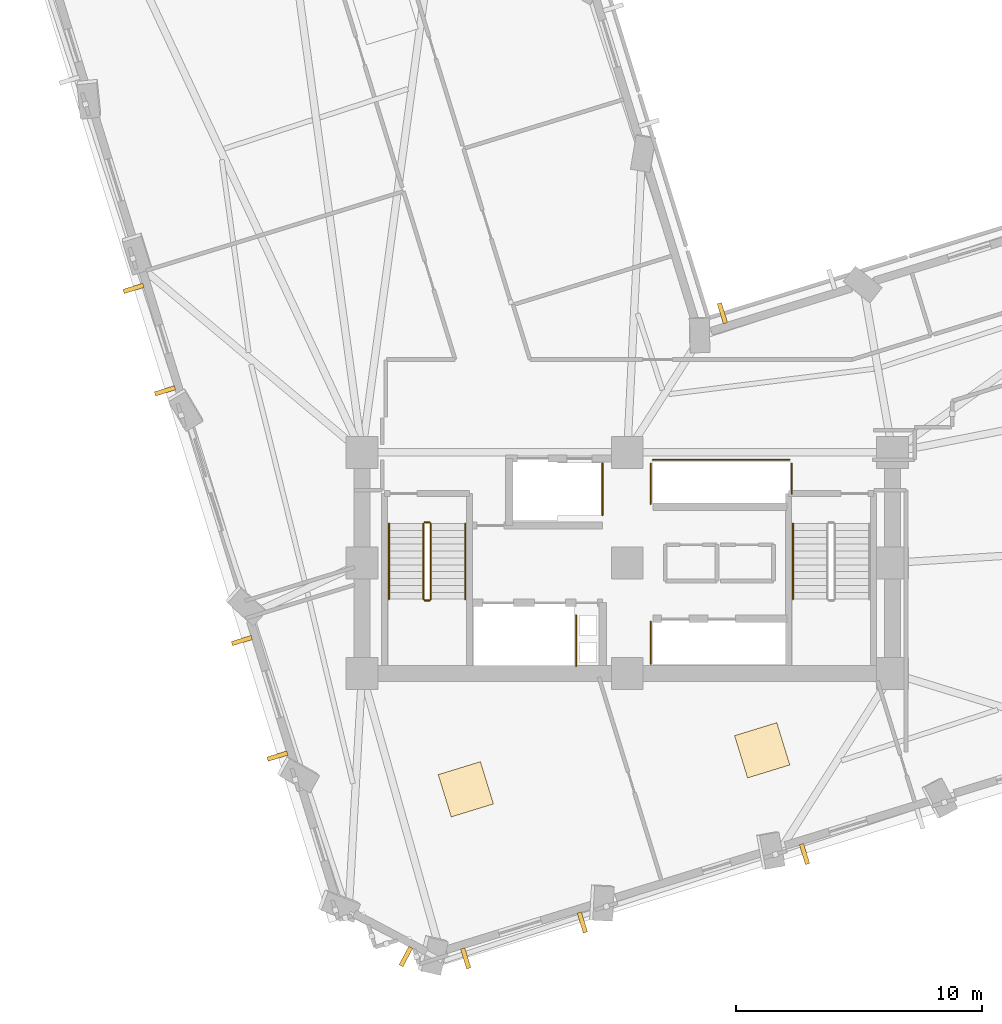
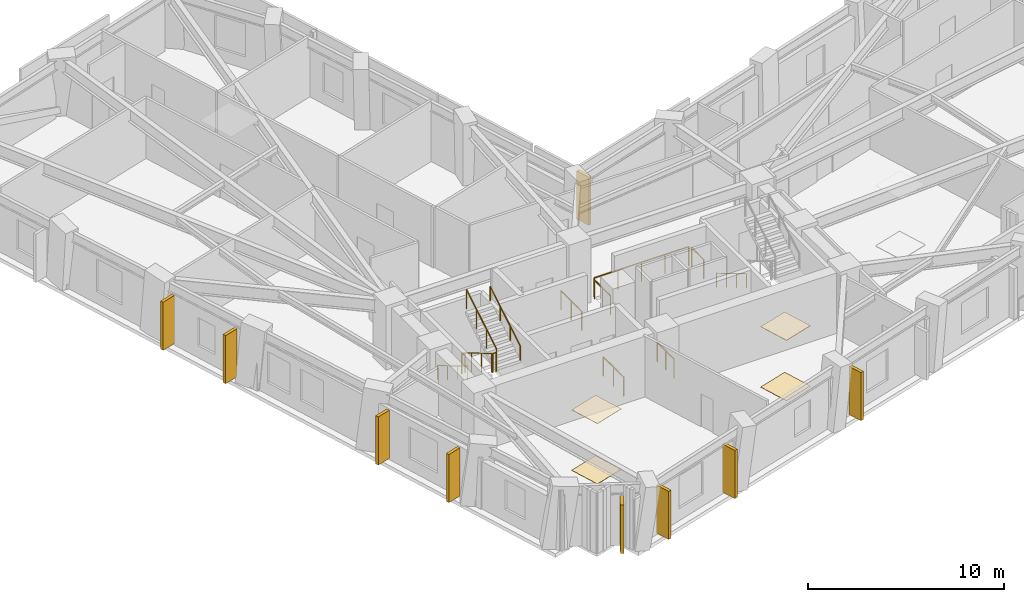
# One storey, part 11 of 14: 13 railings, 9 shading devices, 4 coverings.
"""IFC4 building model written with IfcOpenShell, lengths in metres."""

from ifc_helpers import new_model, si_unit, direction, frame, origin, origin_2d, place, context, subcontext, project, spatial, rectangle, circle, extrude, material, layer, layer_set, type_object, element, save


model = new_model("IFC4")

# Units and contexts
model_context = context("Model", 3, precision=1e-05, world=origin(), true_north=direction((0.0, 1.0)))
body_context = subcontext(model_context, "Body", "Model", "MODEL_VIEW")
ifc_project = project(units=[si_unit("LENGTHUNIT", "METRE"), si_unit("AREAUNIT", "SQUARE_METRE"), si_unit("VOLUMEUNIT", "CUBIC_METRE"), si_unit("PLANEANGLEUNIT", "RADIAN"), si_unit("MASSUNIT", "GRAM", prefix="KILO")], contexts=[model_context])

# Site, building, storey
site_placement = place(None, origin())
site = spatial("IfcSite", under=ifc_project, at=site_placement, CompositionType="ELEMENT")
building_placement = place(site_placement, origin())
building = spatial("IfcBuilding", under=site, at=building_placement, Name="Gaonmaruhae Medical Tower", CompositionType="ELEMENT")
storey_placement = place(building_placement, frame((0.0, 0.0, 96.39990234375)))
storey = spatial("IfcBuildingStorey", under=building, at=storey_placement, Name="L22", CompositionType="ELEMENT", Elevation=96.39990234375)

# Coverings
ifc_material_1 = material(Name="Acoustic mineral ceiling tile", Category="finish")
ifc_layer_1 = layer(ifc_material_1, 0.02490234375)
ifc_layer_set_1 = layer_set([ifc_layer_1], Name="Acoustic mineral ceiling tile")
covering_type_1 = type_object("IfcCoveringType", Name="CLG-01 Antimicrobial Acoustic Mineral Ceiling", PredefinedType="CEILING", material=ifc_layer_set_1)
for number, where, z_axis, x_axis, name in (
    (1, (18.226806640625, 3.080078125, 3.755126953125), (0.0, 0.0, 1.0), (0.955793014798, 0.294040325232, 0.0), "L22 Clinical Room Acoustic Ceiling 2"),
    (2, (30.29345703125, 4.668212890625, 3.755126953125), (0.0, 0.0, 1.0), (0.955793014798, 0.294040325232, 0.0), "L22 Clinical Room Acoustic Ceiling 3"),
):
    element("IfcCovering", number, at=place(storey_placement, frame(where, z_axis=z_axis, x_axis=x_axis)), inside=storey, type_object=covering_type_1, Name=name, PredefinedType="CEILING", context=body_context, shape_type="SweptSolid", body=[
        extrude(rectangle(XDim=1.800048828125, YDim=1.800048828125, at=origin_2d()), origin(), (0.0, 0.0, 1.0), 0.02490234375),
    ])
ifc_material_2 = material(Name="Seamless clinical vinyl flooring", Category="finish")
ifc_layer_2 = layer(ifc_material_2, 0.014892578125)
ifc_layer_set_2 = layer_set([ifc_layer_2], Name="Seamless clinical vinyl flooring")
covering_type_2 = type_object("IfcCoveringType", Name="FLR-01 Seamless Clinical Antistatic Vinyl Flooring", PredefinedType="FLOORING", material=ifc_layer_set_2)
for number, where, z_axis, x_axis, name in (
    (3, (18.226806640625, 3.080078125, 0.0), (0.0, 0.0, 1.0), (0.955793014798, 0.294040325232, 0.0), "L22 Clinical Room Vinyl Flooring 2"),
    (4, (30.29345703125, 4.668212890625, 0.0), (0.0, 0.0, 1.0), (0.955793014798, 0.294040325232, 0.0), "L22 Clinical Room Vinyl Flooring 3"),
):
    element("IfcCovering", number, at=place(storey_placement, frame(where, z_axis=z_axis, x_axis=x_axis)), inside=storey, type_object=covering_type_2, Name=name, PredefinedType="FLOORING", context=body_context, shape_type="SweptSolid", body=[
        extrude(rectangle(XDim=1.800048828125, YDim=1.800048828125, at=origin_2d()), origin(), (0.0, 0.0, 1.0), 0.014892578125),
    ])

# Railings
ifc_material_3 = material(Name="Stainless steel 304 handrail", Category="steel")
railing_type_1 = type_object("IfcRailingType", Name="HR-092 Continuous Stainless Steel Stair Handrail", PredefinedType="HANDRAIL", material=ifc_material_3)
railing_1_placement = place(storey_placement, frame((15.10009765625, 13.89990234375, 0.166748046875)))
element("IfcRailing", 5, at=railing_1_placement, inside=storey, type_object=railing_type_1, Name="L22 ST-01 stair handrail 1", PredefinedType="HANDRAIL", context=body_context, shape_type="SweptSolid", body=[
    extrude(circle(Radius=0.02392578125, at=origin_2d()), frame((0.0, 0.0, 0.8759765625), z_axis=(0.0, -0.859290745958, 0.51148745235), x_axis=(1.0, 0.0, 0.0)), (0.0, 0.0, 1.0), 3.584228515625),
    extrude(circle(Radius=0.02099609375, at=origin_2d()), origin(), (0.0, 0.0, 1.0), 0.851806640625),
    extrude(circle(Radius=0.02099609375, at=origin_2d()), frame((0.0, -1.026611328125, 0.611083984375)), (0.0, 0.0, 1.0), 0.851806640625),
    extrude(circle(Radius=0.02099609375, at=origin_2d()), frame((0.0, -2.05322265625, 1.22216796875)), (0.0, 0.0, 1.0), 0.851806640625),
    extrude(circle(Radius=0.02099609375, at=origin_2d()), frame((0.0, -3.079833984375, 1.833251953125)), (0.0, 0.0, 1.0), 0.851806640625),
])
railing_2_placement = place(storey_placement, frame((18.199951171875, 10.820068359375, 2.166748046875)))
element("IfcRailing", 6, at=railing_2_placement, inside=storey, type_object=railing_type_1, Name="L22 ST-01 stair handrail 2", PredefinedType="HANDRAIL", context=body_context, shape_type="SweptSolid", body=[
    extrude(circle(Radius=0.02392578125, at=origin_2d()), frame((0.0, 0.0, 0.8759765625), z_axis=(0.0, 0.859290745958, 0.51148745235), x_axis=(-1.0, 0.0, 0.0)), (0.0, 0.0, 1.0), 3.584228515625),
    extrude(circle(Radius=0.02099609375, at=origin_2d()), origin(), (0.0, 0.0, 1.0), 0.851806640625),
    extrude(circle(Radius=0.02099609375, at=origin_2d()), frame((0.0, 1.026611328125, 0.611083984375)), (0.0, 0.0, 1.0), 0.851806640625),
    extrude(circle(Radius=0.02099609375, at=origin_2d()), frame((0.0, 2.05322265625, 1.22216796875)), (0.0, 0.0, 1.0), 0.851806640625),
    extrude(circle(Radius=0.02099609375, at=origin_2d()), frame((0.0, 3.079833984375, 1.833251953125)), (0.0, 0.0, 1.0), 0.851806640625),
])
railing_3_placement = place(storey_placement, frame((31.550048828125, 13.89990234375, 0.166748046875)))
element("IfcRailing", 7, at=railing_3_placement, inside=storey, type_object=railing_type_1, Name="L22 ST-02 stair handrail 1", PredefinedType="HANDRAIL", context=body_context, shape_type="SweptSolid", body=[
    extrude(circle(Radius=0.02392578125, at=origin_2d()), frame((0.0, 0.0, 0.8759765625), z_axis=(0.0, -0.859290745958, 0.51148745235), x_axis=(1.0, 0.0, 0.0)), (0.0, 0.0, 1.0), 3.584228515625),
    extrude(circle(Radius=0.02099609375, at=origin_2d()), origin(), (0.0, 0.0, 1.0), 0.851806640625),
    extrude(circle(Radius=0.02099609375, at=origin_2d()), frame((0.0, -1.026611328125, 0.611083984375)), (0.0, 0.0, 1.0), 0.851806640625),
    extrude(circle(Radius=0.02099609375, at=origin_2d()), frame((0.0, -2.05322265625, 1.22216796875)), (0.0, 0.0, 1.0), 0.851806640625),
    extrude(circle(Radius=0.02099609375, at=origin_2d()), frame((0.0, -3.079833984375, 1.833251953125)), (0.0, 0.0, 1.0), 0.851806640625),
])

# Shading devices
ifc_material_4 = material(Name="Pigmented coral precast concrete C45/55", Category="concrete")
shading_device_type = type_object("IfcShadingDeviceType", Name="SD-FIN1 Tower Vertical Coral Precast Shading Fin", PredefinedType="USERDEFINED", material=ifc_material_4)
for number, where, z_axis, x_axis, name in (
    (8, (22.970458984375, -2.34033203125, 0.08251953125), (0.0, 0.0, 1.0), (-0.955793014798, -0.294040325232, 0.0), "L22 Vertical Coral Precast Shading Fin S01"),
    (9, (18.22021484375, -3.8017578125, 0.08251953125), (0.0, 0.0, 1.0), (-0.955793014798, -0.294040325232, 0.0), "L22 Vertical Coral Precast Shading Fin S01B"),
    (10, (32.0166015625, 0.442626953125, 0.08251953125), (0.0, 0.0, 1.0), (-0.955793014798, -0.294040325232, 0.0), "L22 Vertical Coral Precast Shading Fin S03B"),
    (11, (28.67431640625, 22.46337890625, 0.08251953125), (0.0, 0.0, 1.0), (0.955793014798, 0.294040325232, 0.0), "L22 Vertical Coral Precast Shading Fin EN03"),
    (12, (5.97998046875, 19.303955078125, 0.08251953125), (0.0, 0.0, 1.0), (-0.294040325232, 0.955793014798, 0.0), "L22 Vertical Coral Precast Shading Fin W03"),
    (13, (4.697509765625, 23.473388671875, 0.08251953125), (0.0, 0.0, 1.0), (-0.294040325232, 0.955793014798, 0.0), "L22 Vertical Coral Precast Shading Fin W03B"),
    (14, (10.555908203125, 4.4296875, 0.08251953125), (0.0, 0.0, 1.0), (-0.294040325232, 0.955793014798, 0.0), "L22 Vertical Coral Precast Shading Fin W05"),
    (15, (9.108154296875, 9.1357421875, 0.08251953125), (0.0, 0.0, 1.0), (-0.294040325232, 0.955793014798, 0.0), "L22 Vertical Coral Precast Shading Fin W05B"),
    (16, (15.78564453125, -3.73193359375, 0.08251953125), (0.0, 0.0, 1.0), (-0.883781963382, 0.467898964735, 0.0), "L22 Vertical Coral Precast Shading Fin W07"),
):
    element("IfcShadingDevice", number, at=place(storey_placement, frame(where, z_axis=z_axis, x_axis=x_axis)), inside=storey, type_object=shading_device_type, Name=name, ObjectType="FIN", PredefinedType="USERDEFINED", context=body_context, shape_type="SweptSolid", body=[
        extrude(rectangle(XDim=0.179931640625, YDim=0.85009765625, at=origin_2d()), origin(), (0.0, 0.0, 1.0), 3.0),
    ])

# Railings
ifc_material_5 = material(Name="Stainless steel 304 balustrade", Category="steel")
railing_type_2 = type_object("IfcRailingType", Name="SG-112 Stair Well & Ramp Void Safety Balustrade", PredefinedType="BALUSTRADE", material=ifc_material_5)
railing_4_placement = place(storey_placement, frame((16.5, 13.89990234375, 0.166748046875)))
element("IfcRailing", 17, at=railing_4_placement, inside=storey, type_object=railing_type_2, Name="L22 ST-01 stair guard 1", PredefinedType="BALUSTRADE", context=body_context, shape_type="SweptSolid", body=[
    extrude(circle(Radius=0.02392578125, at=origin_2d()), frame((0.0, 0.0, 1.17578125), z_axis=(0.0, -0.859290745958, 0.51148745235), x_axis=(1.0, 0.0, 0.0)), (0.0, 0.0, 1.0), 3.584228515625),
    extrude(circle(Radius=0.02099609375, at=origin_2d()), origin(), (0.0, 0.0, 1.0), 1.15185546875),
    extrude(circle(Radius=0.02099609375, at=origin_2d()), frame((0.0, -1.026611328125, 0.611083984375)), (0.0, 0.0, 1.0), 1.15185546875),
    extrude(circle(Radius=0.02099609375, at=origin_2d()), frame((0.0, -2.05322265625, 1.22216796875)), (0.0, 0.0, 1.0), 1.15185546875),
    extrude(circle(Radius=0.02099609375, at=origin_2d()), frame((0.0, -3.079833984375, 1.833251953125)), (0.0, 0.0, 1.0), 1.15185546875),
])
railing_5_placement = place(storey_placement, frame((16.550048828125, 10.77001953125, 2.0)))
element("IfcRailing", 18, at=railing_5_placement, inside=storey, type_object=railing_type_2, Name="L22 ST-01 stair guard 2", PredefinedType="BALUSTRADE", context=body_context, shape_type="SweptSolid", body=[
    extrude(circle(Radius=0.02392578125, at=origin_2d()), frame((0.0, 0.0, 1.17578125), z_axis=(1.0, 0.0, 0.0), x_axis=(0.0, 1.0, 0.0)), (0.0, 0.0, 1.0), 0.199951171875),
    extrude(circle(Radius=0.02099609375, at=origin_2d()), origin(), (0.0, 0.0, 1.0), 1.15185546875),
    extrude(circle(Radius=0.02099609375, at=origin_2d()), frame((0.199951171875, 0.0, 0.0)), (0.0, 0.0, 1.0), 1.15185546875),
])
railing_6_placement = place(storey_placement, frame((16.800048828125, 10.820068359375, 2.166748046875)))
element("IfcRailing", 19, at=railing_6_placement, inside=storey, type_object=railing_type_2, Name="L22 ST-01 stair guard 3", PredefinedType="BALUSTRADE", context=body_context, shape_type="SweptSolid", body=[
    extrude(circle(Radius=0.02392578125, at=origin_2d()), frame((0.0, 0.0, 1.17578125), z_axis=(0.0, 0.859290745958, 0.51148745235), x_axis=(-1.0, 0.0, 0.0)), (0.0, 0.0, 1.0), 3.584228515625),
    extrude(circle(Radius=0.02099609375, at=origin_2d()), origin(), (0.0, 0.0, 1.0), 1.15185546875),
    extrude(circle(Radius=0.02099609375, at=origin_2d()), frame((0.0, 1.026611328125, 0.611083984375)), (0.0, 0.0, 1.0), 1.15185546875),
    extrude(circle(Radius=0.02099609375, at=origin_2d()), frame((0.0, 2.05322265625, 1.22216796875)), (0.0, 0.0, 1.0), 1.15185546875),
    extrude(circle(Radius=0.02099609375, at=origin_2d()), frame((0.0, 3.079833984375, 1.833251953125)), (0.0, 0.0, 1.0), 1.15185546875),
])
railing_7_placement = place(storey_placement, frame((16.550048828125, 13.949951171875, 0.0)))
element("IfcRailing", 20, at=railing_7_placement, inside=storey, type_object=railing_type_2, Name="L22 ST-01 stair guard 4", PredefinedType="BALUSTRADE", context=body_context, shape_type="SweptSolid", body=[
    extrude(circle(Radius=0.02392578125, at=origin_2d()), frame((0.0, 0.0, 1.17578125), z_axis=(1.0, 0.0, 0.0), x_axis=(0.0, 1.0, 0.0)), (0.0, 0.0, 1.0), 0.199951171875),
    extrude(circle(Radius=0.02099609375, at=origin_2d()), origin(), (0.0, 0.0, 1.0), 1.15185546875),
    extrude(circle(Radius=0.02099609375, at=origin_2d()), frame((0.199951171875, 0.0, 0.0)), (0.0, 0.0, 1.0), 1.15185546875),
])
railing_8_placement = place(storey_placement, frame((25.7548828125, 8.195068359375, 0.0)))
element("IfcRailing", 21, at=railing_8_placement, inside=storey, type_object=railing_type_2, Name="L22 Shaft Edge Safety Guard 06", PredefinedType="BALUSTRADE", context=body_context, shape_type="SweptSolid", body=[
    extrude(circle(Radius=0.02392578125, at=origin_2d()), frame((0.0, 0.0, 1.17578125), z_axis=(0.0, 1.0, 0.0), x_axis=(-1.0, 0.0, 0.0)), (0.0, 0.0, 1.0), 1.7099609375),
    extrude(circle(Radius=0.02099609375, at=origin_2d()), origin(), (0.0, 0.0, 1.0), 1.15185546875),
    extrude(circle(Radius=0.02099609375, at=origin_2d()), frame((0.0, 0.85498046875, 0.0)), (0.0, 0.0, 1.0), 1.15185546875),
    extrude(circle(Radius=0.02099609375, at=origin_2d()), frame((0.0, 1.7099609375, 0.0)), (0.0, 0.0, 1.0), 1.15185546875),
])
railing_9_placement = place(storey_placement, frame((22.719970703125, 10.159912109375, 0.0)))
element("IfcRailing", 22, at=railing_9_placement, inside=storey, type_object=railing_type_2, Name="L22 Shaft Edge Safety Guard 07", PredefinedType="BALUSTRADE", context=body_context, shape_type="SweptSolid", body=[
    extrude(circle(Radius=0.02392578125, at=origin_2d()), frame((0.0, 0.0, 1.17578125), z_axis=(0.0, -1.0, 0.0), x_axis=(1.0, 0.0, 0.0)), (0.0, 0.0, 1.0), 2.06494140625),
    extrude(circle(Radius=0.02099609375, at=origin_2d()), origin(), (0.0, 0.0, 1.0), 1.15185546875),
    extrude(circle(Radius=0.02099609375, at=origin_2d()), frame((0.0, -1.032470703125, 0.0)), (0.0, 0.0, 1.0), 1.15185546875),
    extrude(circle(Radius=0.02099609375, at=origin_2d()), frame((0.0, -2.06494140625, 0.0)), (0.0, 0.0, 1.0), 1.15185546875),
])
railing_10_placement = place(storey_placement, frame((23.794921875, 16.35498046875, 0.0)))
element("IfcRailing", 23, at=railing_10_placement, inside=storey, type_object=railing_type_2, Name="L22 Shaft Edge Safety Guard 08", PredefinedType="BALUSTRADE", context=body_context, shape_type="SweptSolid", body=[
    extrude(circle(Radius=0.02392578125, at=origin_2d()), frame((0.0, 0.0, 1.17578125), z_axis=(0.0, -1.0, 0.0), x_axis=(1.0, 0.0, 0.0)), (0.0, 0.0, 1.0), 2.10986328125),
    extrude(circle(Radius=0.02099609375, at=origin_2d()), origin(), (0.0, 0.0, 1.0), 1.15185546875),
    extrude(circle(Radius=0.02099609375, at=origin_2d()), frame((0.0, -1.054931640625, 0.0)), (0.0, 0.0, 1.0), 1.15185546875),
    extrude(circle(Radius=0.02099609375, at=origin_2d()), frame((0.0, -2.10986328125, 0.0)), (0.0, 0.0, 1.0), 1.15185546875),
])
railing_11_placement = place(storey_placement, frame((25.844970703125, 16.4951171875, 0.0)))
element("IfcRailing", 24, at=railing_11_placement, inside=storey, type_object=railing_type_2, Name="L22 Shaft Edge Safety Guard 09", PredefinedType="BALUSTRADE", context=body_context, shape_type="SweptSolid", body=[
    extrude(circle(Radius=0.02392578125, at=origin_2d()), frame((0.0, 0.0, 1.17578125), z_axis=(1.0, 0.0, 0.0), x_axis=(0.0, 1.0, 0.0)), (0.0, 0.0, 1.0), 5.56005859375),
    extrude(circle(Radius=0.02099609375, at=origin_2d()), origin(), (0.0, 0.0, 1.0), 1.15185546875),
    extrude(circle(Radius=0.02099609375, at=origin_2d()), frame((1.39013671875, 0.0, 0.0)), (0.0, 0.0, 1.0), 1.15185546875),
    extrude(circle(Radius=0.02099609375, at=origin_2d()), frame((2.780029296875, 0.0, 0.0)), (0.0, 0.0, 1.0), 1.15185546875),
    extrude(circle(Radius=0.02099609375, at=origin_2d()), frame((4.169921875, 0.0, 0.0)), (0.0, 0.0, 1.0), 1.15185546875),
    extrude(circle(Radius=0.02099609375, at=origin_2d()), frame((5.56005859375, 0.0, 0.0)), (0.0, 0.0, 1.0), 1.15185546875),
])
railing_12_placement = place(storey_placement, frame((31.4951171875, 16.330078125, 0.0)))
element("IfcRailing", 25, at=railing_12_placement, inside=storey, type_object=railing_type_2, Name="L22 Shaft Edge Safety Guard 10", PredefinedType="BALUSTRADE", context=body_context, shape_type="SweptSolid", body=[
    extrude(circle(Radius=0.02392578125, at=origin_2d()), frame((0.0, 0.0, 1.17578125), z_axis=(0.0, -1.0, 0.0), x_axis=(1.0, 0.0, 0.0)), (0.0, 0.0, 1.0), 1.2099609375),
    extrude(circle(Radius=0.02099609375, at=origin_2d()), origin(), (0.0, 0.0, 1.0), 1.15185546875),
    extrude(circle(Radius=0.02099609375, at=origin_2d()), frame((0.0, -1.2099609375, 0.0)), (0.0, 0.0, 1.0), 1.15185546875),
])
railing_13_placement = place(storey_placement, frame((25.7548828125, 14.695068359375, 0.0)))
element("IfcRailing", 26, at=railing_13_placement, inside=storey, type_object=railing_type_2, Name="L22 Shaft Edge Safety Guard 11", PredefinedType="BALUSTRADE", context=body_context, shape_type="SweptSolid", body=[
    extrude(circle(Radius=0.02392578125, at=origin_2d()), frame((0.0, 0.0, 1.17578125), z_axis=(0.0, 1.0, 0.0), x_axis=(-1.0, 0.0, 0.0)), (0.0, 0.0, 1.0), 1.635009765625),
    extrude(circle(Radius=0.02099609375, at=origin_2d()), origin(), (0.0, 0.0, 1.0), 1.15185546875),
    extrude(circle(Radius=0.02099609375, at=origin_2d()), frame((0.0, 0.8173828125, 0.0)), (0.0, 0.0, 1.0), 1.15185546875),
    extrude(circle(Radius=0.02099609375, at=origin_2d()), frame((0.0, 1.635009765625, 0.0)), (0.0, 0.0, 1.0), 1.15185546875),
])

save(model, "model.ifc")
